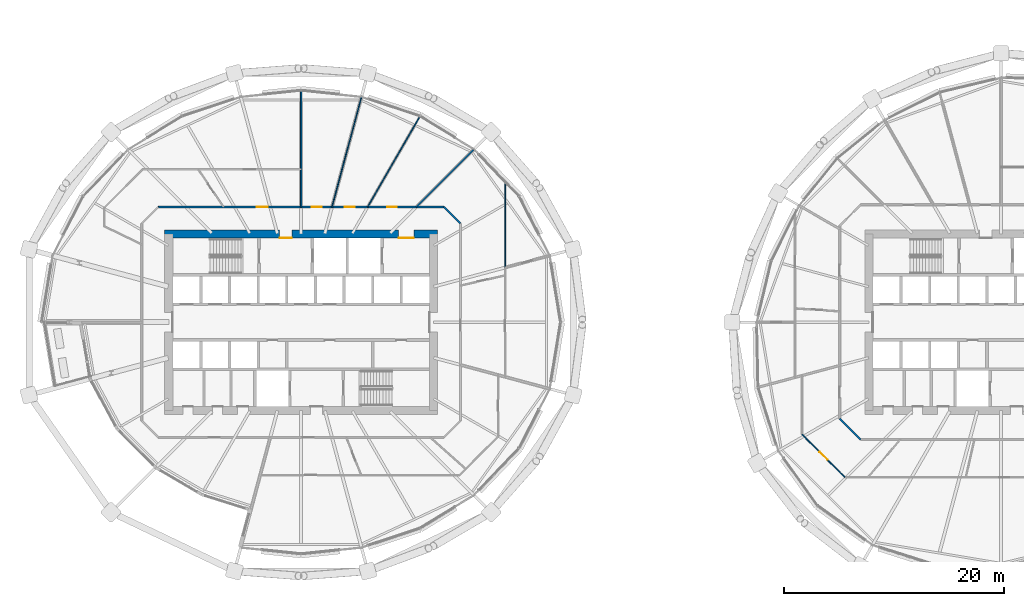
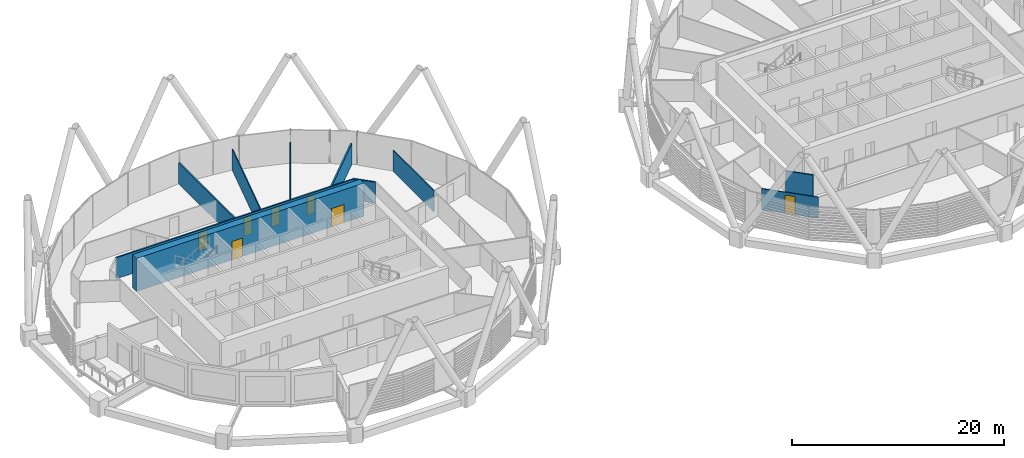
# One storey, part 25 of 38: 10 walls, 7 doors, 7 openings.
"""IFC4 building model written with IfcOpenShell, lengths in metres."""

from ifc_helpers import new_model, si_unit, direction, frame, frame_2d, origin, place, context, subcontext, project, spatial, rectangle, extrude, material, layer, layer_set, type_object, element, fill, save


model = new_model("IFC4")

# Units and contexts
model_context = context("Model", 3, precision=1e-05, world=origin(), true_north=direction((0.0, 1.0)))
body_context = subcontext(model_context, "Body", "Model", "MODEL_VIEW")
ifc_project = project(units=[si_unit("LENGTHUNIT", "METRE"), si_unit("AREAUNIT", "SQUARE_METRE"), si_unit("VOLUMEUNIT", "CUBIC_METRE"), si_unit("PLANEANGLEUNIT", "RADIAN"), si_unit("MASSUNIT", "GRAM", prefix="KILO")], contexts=[model_context])

# Site, building, storey
site_placement = place(None, origin())
site = spatial("IfcSite", under=ifc_project, at=site_placement, CompositionType="ELEMENT")
building_placement = place(site_placement, origin())
building = spatial("IfcBuilding", under=site, at=building_placement, Name="Rimbun Link Towers", CompositionType="ELEMENT")
storey_placement = place(building_placement, frame((0.0, 0.0, 93.0)))
storey = spatial("IfcBuildingStorey", under=building, at=storey_placement, Name="L22", CompositionType="ELEMENT", Elevation=93.0)

# Wall, openings, doors
ifc_material_1 = material(Name="Concrete C60/75", Category="concrete")
ifc_layer_1 = layer(ifc_material_1, 0.75)
ifc_layer_set_1 = layer_set([ifc_layer_1], Name="Core shear wall 750")
wall_type_1 = type_object("IfcWallType", Name="Core shear wall 750", PredefinedType="SHEAR", material=ifc_layer_set_1)
wall_1_placement = place(storey_placement, frame((-44.125, 8.0, 0.0), z_axis=(0.0, 0.0, 1.0), x_axis=(1.0, 0.0, 0.0)))
wall_1 = element("IfcWall", 1, at=wall_1_placement, inside=storey, type_object=wall_type_1, Name="L22 T1 core wall N", PredefinedType="SHEAR", context=body_context, shape_type="SweptSolid", body=[
    extrude(rectangle(XDim=24.75, YDim=0.75, at=frame_2d((12.375, 0.0))), origin(), (0.0, 0.0, 1.0), 3.800048828125),
])
opening_1_placement = place(wall_1_placement, frame((10.425048828125, 0.0, 0.0)))
opening_1 = element("IfcOpeningElement", 2, at=opening_1_placement, cuts=wall_1, Name="Opening C1DCF01N", PredefinedType="OPENING", context=body_context, shape_type="SweptSolid", body=[
    extrude(rectangle(XDim=1.10009765625, YDim=2.10009765625, at=frame_2d((0.550048828125, 1.050048828125))), frame((0.0, 0.385009765625, 0.0), z_axis=(0.0, -1.0, 0.0), x_axis=(1.0, 0.0, 0.0)), (0.0, 0.0, 1.0), 0.77001953125),
])
opening_2_placement = place(wall_1_placement, frame((21.21240234375, 0.0, 0.0)))
opening_2 = element("IfcOpeningElement", 3, at=opening_2_placement, cuts=wall_1, Name="Opening C1DSL02N", PredefinedType="OPENING", context=body_context, shape_type="SweptSolid", body=[
    extrude(rectangle(XDim=1.39990234375, YDim=2.10009765625, at=frame_2d((0.699951171875, 1.050048828125))), frame((0.0, 0.385009765625, 0.0), z_axis=(0.0, -1.0, 0.0), x_axis=(1.0, 0.0, 0.0)), (0.0, 0.0, 1.0), 0.77001953125),
])
ifc_material_2 = material(Name="Steel fire door set", Category="steel")
door_type_1 = type_object("IfcDoorType", Name="Core fire door single", OperationType="SINGLE_SWING_LEFT", PredefinedType="DOOR", material=ifc_material_2)
door_1_placement = place(opening_1_placement, origin())
door_1 = element("IfcDoor", 4, at=door_1_placement, inside=storey, type_object=door_type_1, Name="L22 T1 firefighting lobby n door", OperationType="SINGLE_SWING_LEFT", OverallHeight=2.10009765625, OverallWidth=1.10009765625, PredefinedType="DOOR", context=body_context, shape_type="SweptSolid", body=[
    extrude(rectangle(XDim=1.10009765625, YDim=2.10009765625, at=frame_2d((0.550048828125, 1.050048828125))), frame((0.0, -0.3251953125, 0.0), z_axis=(0.0, -1.0, 0.0), x_axis=(1.0, 0.0, 0.0)), (0.0, 0.0, 1.0), 0.050048828125),
])
fill(opening_1, door_1)
ifc_material_3 = material(Name="Steel fire door set", Category="steel")
door_type_2 = type_object("IfcDoorType", Name="Service lobby door double", OperationType="DOUBLE_DOOR_SINGLE_SWING", PredefinedType="DOOR", material=ifc_material_3)
door_2_placement = place(opening_2_placement, origin())
door_2 = element("IfcDoor", 5, at=door_2_placement, inside=storey, type_object=door_type_2, Name="L22 T1 service lobby door", OperationType="DOUBLE_DOOR_SINGLE_SWING", OverallHeight=2.10009765625, OverallWidth=1.39990234375, PredefinedType="DOOR", context=body_context, shape_type="SweptSolid", body=[
    extrude(rectangle(XDim=1.39990234375, YDim=2.10009765625, at=frame_2d((0.699951171875, 1.050048828125))), frame((0.0, -0.3251953125, 0.0), z_axis=(0.0, -1.0, 0.0), x_axis=(1.0, 0.0, 0.0)), (0.0, 0.0, 1.0), 0.050048828125),
])
fill(opening_2, door_2)

ifc_material_4 = material(Name="Plasterboard on steel stud, mineral wool", Category="steel")
ifc_layer_2 = layer(ifc_material_4, 0.14990234375)
ifc_layer_set_2 = layer_set([ifc_layer_2], Name="Corridor wall EI 30 150 mm")
wall_type_2 = type_object("IfcWallType", Name="Corridor wall EI 30 150 mm", PredefinedType="PARTITIONING", material=ifc_layer_set_2)
wall_2_placement = place(storey_placement, frame((-44.70166015625, 10.449951171875, 0.0), z_axis=(0.0, 0.0, 1.0), x_axis=(1.0, 0.0, 0.0)))
wall_2 = element("IfcWall", 6, at=wall_2_placement, inside=storey, type_object=wall_type_2, Name="Corridor wall EI 30 150 mm", PredefinedType="PARTITIONING", context=body_context, shape_type="SweptSolid", body=[
    extrude(rectangle(XDim=25.9033203125, YDim=0.14990234375, at=frame_2d((12.95166015625, 0.0))), origin(), (0.0, 0.0, 1.0), 2.419921875),
])
opening_3_placement = place(wall_2_placement, frame((20.743408203125, 0.0, 0.0)))
opening_3 = element("IfcOpeningElement", 7, at=opening_3_placement, cuts=wall_2, Name="Opening D02", PredefinedType="OPENING", context=body_context, shape_type="SweptSolid", body=[
    extrude(rectangle(XDim=0.89990234375, YDim=2.10009765625, at=frame_2d((0.449951171875, 1.050048828125))), frame((0.0, 0.0849609375, 0.0), z_axis=(0.0, -1.0, 0.0), x_axis=(1.0, 0.0, 0.0)), (0.0, 0.0, 1.0), 0.169921875),
])
opening_4_placement = place(wall_2_placement, frame((16.91845703125, 0.0, 0.0)))
opening_4 = element("IfcOpeningElement", 8, at=opening_4_placement, cuts=wall_2, Name="Opening D02", PredefinedType="OPENING", context=body_context, shape_type="SweptSolid", body=[
    extrude(rectangle(XDim=0.89990234375, YDim=2.10009765625, at=frame_2d((0.449951171875, 1.050048828125))), frame((0.0, 0.0849609375, 0.0), z_axis=(0.0, -1.0, 0.0), x_axis=(1.0, 0.0, 0.0)), (0.0, 0.0, 1.0), 0.169921875),
])
opening_5_placement = place(wall_2_placement, frame((13.901611328125, 0.0, 0.0)))
opening_5 = element("IfcOpeningElement", 9, at=opening_5_placement, cuts=wall_2, Name="Opening D02", PredefinedType="OPENING", context=body_context, shape_type="SweptSolid", body=[
    extrude(rectangle(XDim=0.89990234375, YDim=2.10009765625, at=frame_2d((0.449951171875, 1.050048828125))), frame((0.0, 0.0849609375, 0.0), z_axis=(0.0, -1.0, 0.0), x_axis=(1.0, 0.0, 0.0)), (0.0, 0.0, 1.0), 0.169921875),
])
opening_6_placement = place(wall_2_placement, frame((8.9345703125, 0.0, 0.0)))
opening_6 = element("IfcOpeningElement", 10, at=opening_6_placement, cuts=wall_2, Name="Opening D01", PredefinedType="OPENING", context=body_context, shape_type="SweptSolid", body=[
    extrude(rectangle(XDim=1.0, YDim=2.10009765625, at=frame_2d((0.5, 1.050048828125))), frame((0.0, 0.0849609375, 0.0), z_axis=(0.0, -1.0, 0.0), x_axis=(1.0, 0.0, 0.0)), (0.0, 0.0, 1.0), 0.169921875),
])
ifc_material_5 = material(Name="Fire-resisting timber door leaf", Category="wood")
door_type_3 = type_object("IfcDoorType", Name="Fire door FD30S 1000", OperationType="NOTDEFINED", PredefinedType="DOOR", material=ifc_material_5)
door_3_placement = place(opening_6_placement, origin())
door_3 = element("IfcDoor", 11, at=door_3_placement, inside=storey, type_object=door_type_3, Name="Fire door FD30S 1000 to Reception", OperationType="SINGLE_SWING_RIGHT", OverallHeight=2.10009765625, OverallWidth=1.0, PredefinedType="DOOR", context=body_context, shape_type="SweptSolid", body=[
    extrude(rectangle(XDim=1.0, YDim=2.10009765625, at=frame_2d((0.5, 1.050048828125))), frame((0.0, 0.02490234375, 0.0), z_axis=(0.0, -1.0, 0.0), x_axis=(1.0, 0.0, 0.0)), (0.0, 0.0, 1.0), 0.050048828125),
])
fill(opening_6, door_3)
ifc_material_6 = material(Name="Fire-resisting timber door leaf", Category="wood")
door_type_4 = type_object("IfcDoorType", Name="Fire door FD30S 900", OperationType="NOTDEFINED", PredefinedType="DOOR", material=ifc_material_6)
door_4_placement = place(opening_3_placement, origin())
door_4 = element("IfcDoor", 12, at=door_4_placement, inside=storey, type_object=door_type_4, Name="Fire door FD30S 900 to Cellular office", OperationType="SINGLE_SWING_LEFT", OverallHeight=2.10009765625, OverallWidth=0.89990234375, PredefinedType="DOOR", context=body_context, shape_type="SweptSolid", body=[
    extrude(rectangle(XDim=0.89990234375, YDim=2.10009765625, at=frame_2d((0.449951171875, 1.050048828125))), frame((0.0, 0.02490234375, 0.0), z_axis=(0.0, -1.0, 0.0), x_axis=(1.0, 0.0, 0.0)), (0.0, 0.0, 1.0), 0.050048828125),
])
fill(opening_3, door_4)
door_5_placement = place(opening_4_placement, origin())
door_5 = element("IfcDoor", 13, at=door_5_placement, inside=storey, type_object=door_type_4, Name="Fire door FD30S 900 to Cellular office", OperationType="SINGLE_SWING_RIGHT", OverallHeight=2.10009765625, OverallWidth=0.89990234375, PredefinedType="DOOR", context=body_context, shape_type="SweptSolid", body=[
    extrude(rectangle(XDim=0.89990234375, YDim=2.10009765625, at=frame_2d((0.449951171875, 1.050048828125))), frame((0.0, 0.02490234375, 0.0), z_axis=(0.0, -1.0, 0.0), x_axis=(1.0, 0.0, 0.0)), (0.0, 0.0, 1.0), 0.050048828125),
])
fill(opening_4, door_5)
door_6_placement = place(opening_5_placement, origin())
door_6 = element("IfcDoor", 14, at=door_6_placement, inside=storey, type_object=door_type_4, Name="Fire door FD30S 900 to Meeting room", OperationType="SINGLE_SWING_LEFT", OverallHeight=2.10009765625, OverallWidth=0.89990234375, PredefinedType="DOOR", context=body_context, shape_type="SweptSolid", body=[
    extrude(rectangle(XDim=0.89990234375, YDim=2.10009765625, at=frame_2d((0.449951171875, 1.050048828125))), frame((0.0, 0.02490234375, 0.0), z_axis=(0.0, -1.0, 0.0), x_axis=(1.0, 0.0, 0.0)), (0.0, 0.0, 1.0), 0.050048828125),
])
fill(opening_5, door_6)

# Walls
wall_3_placement = place(storey_placement, frame((-17.300048828125, 8.95166015625, 0.0), z_axis=(0.0, 0.0, 1.0), x_axis=(-0.707106781187, 0.707106781187, 0.0)))
element("IfcWall", 15, at=wall_3_placement, inside=storey, type_object=wall_type_2, Name="Corridor wall EI 30 150 mm", PredefinedType="PARTITIONING", context=body_context, shape_type="SweptSolid", body=[
    extrude(rectangle(XDim=2.118896484375, YDim=0.14990234375, at=frame_2d((1.0595703125, 0.0))), origin(), (0.0, 0.0, 1.0), 2.419921875),
])
wall_4_placement = place(storey_placement, frame((17.10009765625, -8.751708984375, 0.0), z_axis=(0.0, 0.0, 1.0), x_axis=(0.707106781187, -0.707106781187, 0.0)))
element("IfcWall", 16, at=wall_4_placement, inside=storey, type_object=wall_type_2, Name="Corridor wall EI 30 150 mm", PredefinedType="PARTITIONING", context=body_context, shape_type="SweptSolid", body=[
    extrude(rectangle(XDim=2.6845703125, YDim=0.14990234375, at=frame_2d((1.34228515625, 0.0))), origin(), (0.0, 0.0, 1.0), 2.419921875),
])
ifc_material_7 = material(Name="Plasterboard on steel stud", Category="steel")
ifc_layer_3 = layer(ifc_material_7, 0.10009765625)
ifc_layer_set_3 = layer_set([ifc_layer_3], Name="Plasterboard partition 100 mm")
wall_type_3 = type_object("IfcWallType", Name="Plasterboard partition 100 mm", PredefinedType="PARTITIONING", material=ifc_layer_set_3)
wall_5_placement = place(storey_placement, frame((-13.25, 4.95703125, 0.0), z_axis=(0.0, 0.0, 1.0), x_axis=(0.0, 1.0, 0.0)))
element("IfcWall", 17, at=wall_5_placement, inside=storey, type_object=wall_type_3, Name="Plasterboard partition 100 mm", PredefinedType="PARTITIONING", context=body_context, shape_type="SweptSolid", body=[
    extrude(rectangle(XDim=7.71533203125, YDim=0.10009765625, at=frame_2d((3.857666015625, 0.0))), origin(), (0.0, 0.0, 1.0), 2.419921875),
])
wall_6_placement = place(storey_placement, frame((-20.985107421875, 18.6455078125, 0.0), z_axis=(0.0, 0.0, 1.0), x_axis=(-0.499998622628, -0.866026199009, 0.0)))
element("IfcWall", 18, at=wall_6_placement, inside=storey, type_object=wall_type_3, Name="Plasterboard partition 100 mm", PredefinedType="PARTITIONING", context=body_context, shape_type="SweptSolid", body=[
    extrude(rectangle(XDim=9.46337890625, YDim=0.10009765625, at=frame_2d((4.731689453125, 0.0))), origin(), (0.0, 0.0, 1.0), 2.419921875),
])
wall_7_placement = place(storey_placement, frame((-26.283447265625, 20.4013671875, 0.0), z_axis=(0.0, 0.0, 1.0), x_axis=(-0.258821763893, -0.965925097787, 0.0)))
element("IfcWall", 19, at=wall_7_placement, inside=storey, type_object=wall_type_3, Name="Plasterboard partition 100 mm", PredefinedType="PARTITIONING", context=body_context, shape_type="SweptSolid", body=[
    extrude(rectangle(XDim=10.302490234375, YDim=0.10009765625, at=frame_2d((5.1513671875, 0.0))), origin(), (0.0, 0.0, 1.0), 2.419921875),
])

# Wall, opening, door
wall_8_placement = place(storey_placement, frame((17.581787109375, -14.070068359375, 0.0), z_axis=(0.0, 0.0, 1.0), x_axis=(-0.707106781187, 0.707106781187, 0.0)))
wall_8 = element("IfcWall", 20, at=wall_8_placement, inside=storey, type_object=wall_type_3, Name="Plasterboard partition 100 mm", PredefinedType="PARTITIONING", context=body_context, shape_type="SweptSolid", body=[
    extrude(rectangle(XDim=5.51806640625, YDim=0.10009765625, at=frame_2d((2.759033203125, 0.0))), origin(), (0.0, 0.0, 1.0), 2.419921875),
])
opening_7_placement = place(wall_8_placement, frame((2.2587890625, 0.0, 0.0)))
opening_7 = element("IfcOpeningElement", 21, at=opening_7_placement, cuts=wall_8, Name="Opening D03", PredefinedType="OPENING", context=body_context, shape_type="SweptSolid", body=[
    extrude(rectangle(XDim=1.0, YDim=2.10009765625, at=frame_2d((0.5, 1.050048828125))), frame((0.0, 0.06005859375, 0.0), z_axis=(0.0, -1.0, 0.0), x_axis=(1.0, 0.0, 0.0)), (0.0, 0.0, 1.0), 0.1201171875),
])
ifc_material_8 = material(Name="Timber door leaf", Category="wood")
door_type_5 = type_object("IfcDoorType", Name="Flush door 1000", OperationType="NOTDEFINED", PredefinedType="DOOR", material=ifc_material_8)
door_7_placement = place(opening_7_placement, origin())
door_7 = element("IfcDoor", 22, at=door_7_placement, inside=storey, type_object=door_type_5, Name="Flush door 1000 to Open office", OperationType="SINGLE_SWING_LEFT", OverallHeight=2.10009765625, OverallWidth=1.0, PredefinedType="DOOR", context=body_context, shape_type="SweptSolid", body=[
    extrude(rectangle(XDim=1.0, YDim=2.10009765625, at=frame_2d((0.5, 1.050048828125))), frame((0.0, 0.02490234375, 0.0), z_axis=(0.0, -1.0, 0.0), x_axis=(1.0, 0.0, 0.0)), (0.0, 0.0, 1.0), 0.050048828125),
])
fill(opening_7, door_7)

# Walls
ifc_material_9 = material(Name="Plasterboard on steel stud, mineral wool", Category="steel")
ifc_layer_4 = layer(ifc_material_9, 0.14990234375)
ifc_layer_set_4 = layer_set([ifc_layer_4], Name="Tenancy separation wall EI 60 150 mm")
wall_type_4 = type_object("IfcWallType", Name="Tenancy separation wall EI 60 150 mm", PredefinedType="PARTITIONING", material=ifc_layer_set_4)
wall_9_placement = place(storey_placement, frame((-21.300048828125, 10.449951171875, 0.0), z_axis=(0.0, 0.0, 1.0), x_axis=(0.707106781187, 0.707106781187, 0.0)))
element("IfcWall", 23, at=wall_9_placement, inside=storey, type_object=wall_type_4, Name="Tenancy separation wall EI 60 150 mm", PredefinedType="PARTITIONING", context=body_context, shape_type="SweptSolid", body=[
    extrude(rectangle(XDim=7.350830078125, YDim=0.14990234375, at=frame_2d((3.67529296875, 0.0))), origin(), (0.0, 0.0, 1.0), 2.419921875),
])
wall_10_placement = place(storey_placement, frame((-31.75, 10.449951171875, 0.0), z_axis=(0.0, 0.0, 1.0), x_axis=(0.0, 1.0, 0.0)))
element("IfcWall", 24, at=wall_10_placement, inside=storey, type_object=wall_type_4, Name="Tenancy separation wall EI 60 150 mm", PredefinedType="PARTITIONING", context=body_context, shape_type="SweptSolid", body=[
    extrude(rectangle(XDim=10.527099609375, YDim=0.14990234375, at=frame_2d((5.263671875, 0.0))), origin(), (0.0, 0.0, 1.0), 2.419921875),
])

save(model, "model.ifc")
